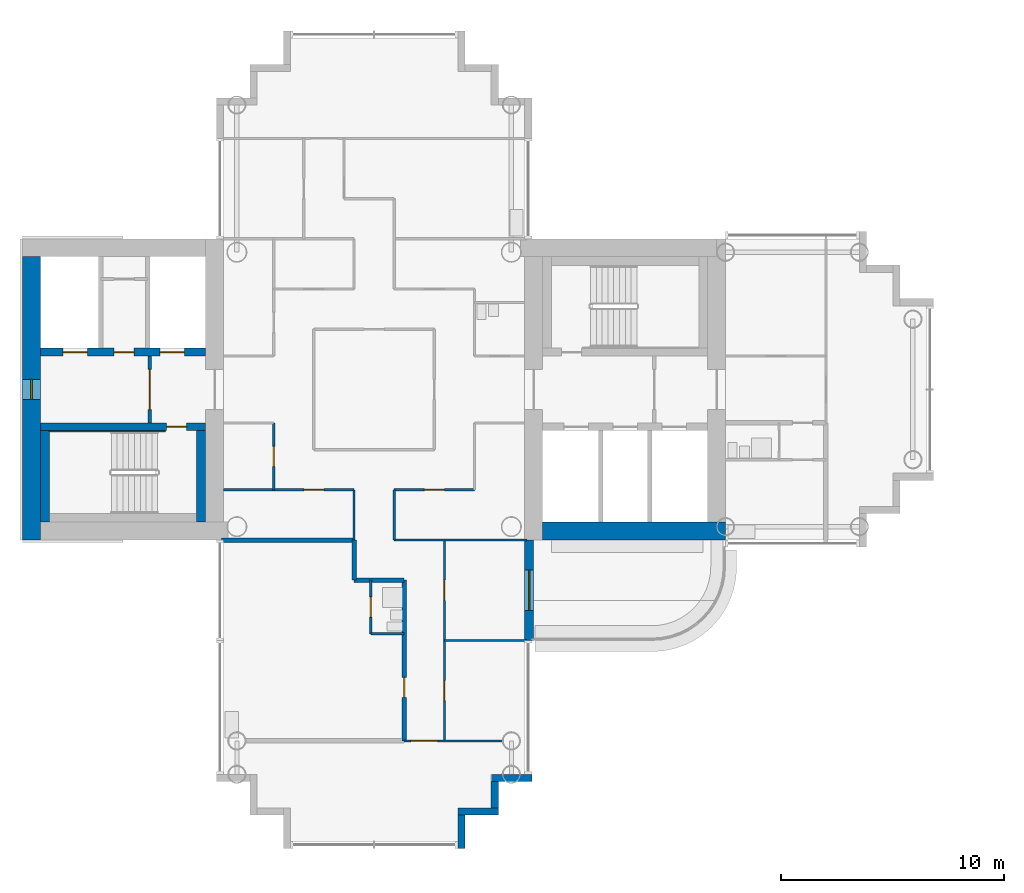
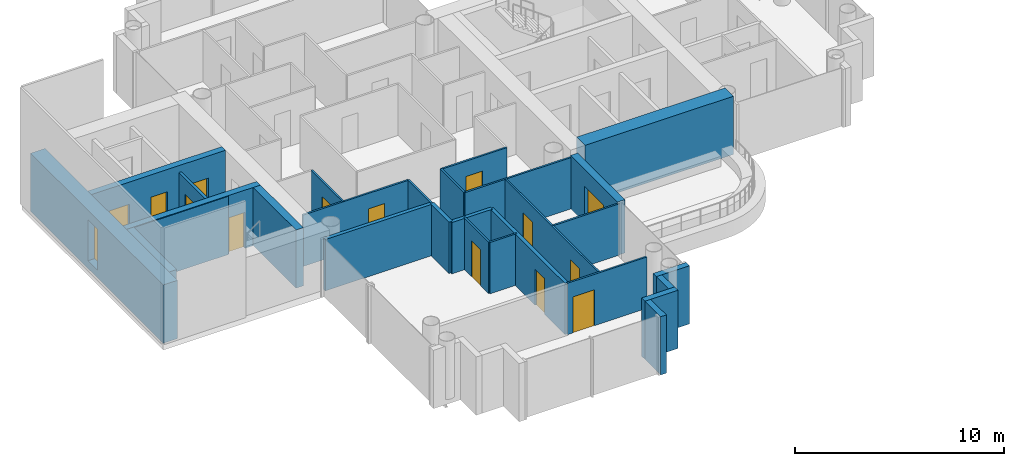
# One storey, part 7 of 20: 28 walls, 14 doors, 1 window, 15 openings.
"""IFC4 building model written with IfcOpenShell, lengths in metres."""

from ifc_helpers import new_model, si_unit, direction, frame, frame_2d, origin, place, context, subcontext, project, spatial, rectangle, extrude, material, layer, layer_set, type_object, element, fill, save


model = new_model("IFC4")

# Units and contexts
model_context = context("Model", 3, precision=1e-05, world=origin(), true_north=direction((0.0, 1.0)))
body_context = subcontext(model_context, "Body", "Model", "MODEL_VIEW")
ifc_project = project(units=[si_unit("LENGTHUNIT", "METRE"), si_unit("AREAUNIT", "SQUARE_METRE"), si_unit("VOLUMEUNIT", "CUBIC_METRE"), si_unit("PLANEANGLEUNIT", "RADIAN"), si_unit("MASSUNIT", "GRAM", prefix="KILO")], contexts=[model_context])

# Site, building, storey
site_placement = place(None, origin())
site = spatial("IfcSite", under=ifc_project, at=site_placement, CompositionType="ELEMENT")
building_placement = place(site_placement, origin())
building = spatial("IfcBuilding", under=site, at=building_placement, Name="Ipe Terrace Towers", CompositionType="ELEMENT")
storey_placement = place(building_placement, frame((0.0, 0.0, 167.699951171875)))
storey = spatial("IfcBuildingStorey", under=building, at=storey_placement, Name="L46", CompositionType="ELEMENT", Elevation=167.699951171875)

# Wall, opening, door
ifc_material_1 = material(Name="Concrete C40/50 with buff precast cladding", Category="concrete")
ifc_layer_1 = layer(ifc_material_1, 0.39990234375)
ifc_layer_set_1 = layer_set([ifc_layer_1], Name="BALCONY BAY WALL 400")
wall_type_1 = type_object("IfcWallType", Name="BALCONY BAY WALL 400", PredefinedType="STANDARD", material=ifc_layer_set_1)
wall_1_placement = place(storey_placement, frame((-29.050048828125, -11.25, -0.02001953125), z_axis=(0.0, 0.0, 1.0), x_axis=(0.0, 1.0, 0.0)))
wall_1 = element("IfcWall", 1, at=wall_1_placement, inside=storey, type_object=wall_type_1, Name="T1-W-L46-14a wall", PredefinedType="STANDARD", context=body_context, shape_type="SweptSolid", body=[
    extrude(rectangle(XDim=4.5, YDim=0.39990234375, at=frame_2d((2.25, 0.0))), origin(), (0.0, 0.0, 1.0), 3.1201171875),
])
opening_1_placement = place(wall_1_placement, frame((1.35009765625, 0.0, 0.02001953125)))
opening_1 = element("IfcOpeningElement", 2, at=opening_1_placement, cuts=wall_1, Name="Opening T1-D-L46-14", PredefinedType="OPENING", context=body_context, shape_type="SweptSolid", body=[
    extrude(rectangle(XDim=1.800048828125, YDim=2.10009765625, at=frame_2d((0.89990234375, 1.050048828125))), frame((0.0, 0.2099609375, 0.0), z_axis=(0.0, -1.0, 0.0), x_axis=(1.0, 0.0, 0.0)), (0.0, 0.0, 1.0), 0.419921875),
])
ifc_material_2 = material(Name="Aluminium alloy 6063-T6 framed glazed door", Category="aluminium")
door_type_1 = type_object("IfcDoorType", Name="BALCONY DOOR 1800 x 2100 LEFT", OperationType="SINGLE_SWING_LEFT", PredefinedType="DOOR", material=ifc_material_2)
door_1_placement = place(opening_1_placement, origin())
door_1 = element("IfcDoor", 3, at=door_1_placement, inside=storey, type_object=door_type_1, Name="DB1 door", OperationType="SINGLE_SWING_LEFT", OverallHeight=2.10009765625, OverallWidth=1.800048828125, PredefinedType="DOOR", context=body_context, shape_type="SweptSolid", body=[
    extrude(rectangle(XDim=1.800048828125, YDim=2.10009765625, at=frame_2d((0.89990234375, 1.050048828125))), frame((0.0, 0.02490234375, 0.0), z_axis=(0.0, -1.0, 0.0), x_axis=(1.0, 0.0, 0.0)), (0.0, 0.0, 1.0), 0.050048828125),
])
fill(opening_1, door_1)

# Walls
ifc_material_3 = material(Name="Concrete C40/50 with buff precast cladding", Category="concrete")
ifc_layer_2 = layer(ifc_material_3, 0.320068359375)
ifc_layer_set_2 = layer_set([ifc_layer_2], Name="BUFF CLADDING WALL 320")
wall_type_2 = type_object("IfcWallType", Name="BUFF CLADDING WALL 320", PredefinedType="STANDARD", material=ifc_layer_set_2)
wall_2_placement = place(storey_placement, frame((-32.090087890625, -20.570068359375, -0.300048828125), z_axis=(0.0, 0.0, 1.0), x_axis=(0.0, 1.0, 0.0)))
element("IfcWall", 4, at=wall_2_placement, inside=storey, type_object=wall_type_2, Name="T1-W-L46-09a wall", PredefinedType="STANDARD", context=body_context, shape_type="SweptSolid", body=[
    extrude(rectangle(XDim=1.5, YDim=0.320068359375, at=frame_2d((0.75, 0.0))), origin(), (0.0, 0.0, 1.0), 3.400146484375),
])
wall_3_placement = place(storey_placement, frame((-32.25, -18.909912109375, -0.300048828125), z_axis=(0.0, 0.0, 1.0), x_axis=(1.0, 0.0, 0.0)))
element("IfcWall", 5, at=wall_3_placement, inside=storey, type_object=wall_type_2, Name="T1-W-L46-10a wall", PredefinedType="STANDARD", context=body_context, shape_type="SweptSolid", body=[
    extrude(rectangle(XDim=1.820068359375, YDim=0.320068359375, at=frame_2d((0.91015625, 0.0))), origin(), (0.0, 0.0, 1.0), 3.400146484375),
])
wall_4_placement = place(storey_placement, frame((-30.590087890625, -18.75, -0.300048828125), z_axis=(0.0, 0.0, 1.0), x_axis=(0.0, 1.0, 0.0)))
element("IfcWall", 6, at=wall_4_placement, inside=storey, type_object=wall_type_2, Name="T1-W-L46-11a wall", PredefinedType="STANDARD", context=body_context, shape_type="SweptSolid", body=[
    extrude(rectangle(XDim=1.179931640625, YDim=0.320068359375, at=frame_2d((0.58984375, 0.0))), origin(), (0.0, 0.0, 1.0), 3.400146484375),
])
wall_5_placement = place(storey_placement, frame((-30.75, -17.409912109375, -0.300048828125), z_axis=(0.0, 0.0, 1.0), x_axis=(1.0, 0.0, 0.0)))
element("IfcWall", 7, at=wall_5_placement, inside=storey, type_object=wall_type_2, Name="T1-W-L46-12a wall", PredefinedType="STANDARD", context=body_context, shape_type="SweptSolid", body=[
    extrude(rectangle(XDim=1.820068359375, YDim=0.320068359375, at=frame_2d((0.91015625, 0.0))), origin(), (0.0, 0.0, 1.0), 3.400146484375),
])

# Wall, opening, door
ifc_material_4 = material(Name="Gypsum board partition", Category="plasterboard")
ifc_layer_3 = layer(ifc_material_4, 0.10009765625)
ifc_layer_set_3 = layer_set([ifc_layer_3], Name="Gypsum board partition 100 mm")
wall_type_3 = type_object("IfcWallType", Name="Gypsum board partition 100 mm", PredefinedType="PARTITIONING", material=ifc_layer_set_3)
wall_6_placement = place(storey_placement, frame((-40.5, -4.5, 0.0), z_axis=(0.0, 0.0, 1.0), x_axis=(0.0, 1.0, 0.0)))
wall_6 = element("IfcWall", 8, at=wall_6_placement, inside=storey, type_object=wall_type_3, Name="Gypsum board partition T1 L46 W01", PredefinedType="PARTITIONING", context=body_context, shape_type="SweptSolid", body=[
    extrude(rectangle(XDim=3.0, YDim=0.10009765625, at=frame_2d((1.5, 0.0))), origin(), (0.0, 0.0, 1.0), 3.0),
])
opening_2_placement = place(wall_6_placement, frame((1.050048828125, 0.0, 0.0)))
opening_2 = element("IfcOpeningElement", 9, at=opening_2_placement, cuts=wall_6, Name="Opening T1-Z3F-08", PredefinedType="OPENING", context=body_context, shape_type="SweptSolid", body=[
    extrude(rectangle(XDim=0.89990234375, YDim=2.10009765625, at=frame_2d((0.449951171875, 1.050048828125))), frame((0.0, 0.06005859375, 0.0), z_axis=(0.0, -1.0, 0.0), x_axis=(1.0, 0.0, 0.0)), (0.0, 0.0, 1.0), 0.1201171875),
])
ifc_material_5 = material(Name="Timber door leaf", Category="wood")
door_type_2 = type_object("IfcDoorType", Name="Lounge door 900 x 2100", OperationType="NOTDEFINED", PredefinedType="DOOR", material=ifc_material_5)
door_2_placement = place(opening_2_placement, origin())
door_2 = element("IfcDoor", 10, at=door_2_placement, inside=storey, type_object=door_type_2, Name="Lounge door T1-Z3F-08", OperationType="SINGLE_SWING_LEFT", OverallHeight=2.10009765625, OverallWidth=0.89990234375, PredefinedType="DOOR", context=body_context, shape_type="SweptSolid", body=[
    extrude(rectangle(XDim=0.89990234375, YDim=2.10009765625, at=frame_2d((0.449951171875, 1.050048828125))), frame((0.0, 0.02490234375, 0.0), z_axis=(0.0, -1.0, 0.0), x_axis=(1.0, 0.0, 0.0)), (0.0, 0.0, 1.0), 0.050048828125),
])
fill(opening_2, door_2)

# Wall
wall_7_placement = place(storey_placement, frame((-36.89990234375, -6.75, 0.0), z_axis=(0.0, 0.0, 1.0), x_axis=(0.0, 1.0, 0.0)))
element("IfcWall", 11, at=wall_7_placement, inside=storey, type_object=wall_type_3, Name="Gypsum board partition T1 L46 W06", PredefinedType="PARTITIONING", context=body_context, shape_type="SweptSolid", body=[
    extrude(rectangle(XDim=2.25, YDim=0.10009765625, at=frame_2d((1.125, 0.0))), origin(), (0.0, 0.0, 1.0), 3.0),
])

# Wall, opening, door
wall_8_placement = place(storey_placement, frame((-36.14990234375, -10.949951171875, 0.0), z_axis=(0.0, 0.0, 1.0), x_axis=(0.0, 1.0, 0.0)))
wall_8 = element("IfcWall", 12, at=wall_8_placement, inside=storey, type_object=wall_type_3, Name="Gypsum board partition T1 L46 W09", PredefinedType="PARTITIONING", context=body_context, shape_type="SweptSolid", body=[
    extrude(rectangle(XDim=2.39990234375, YDim=0.10009765625, at=frame_2d((1.199951171875, 0.0))), origin(), (0.0, 0.0, 1.0), 3.0),
])
opening_3_placement = place(wall_8_placement, frame((0.75, 0.0, 0.0)))
opening_3 = element("IfcOpeningElement", 13, at=opening_3_placement, cuts=wall_8, Name="Opening T1-Z3F-16", PredefinedType="OPENING", context=body_context, shape_type="SweptSolid", body=[
    extrude(rectangle(XDim=0.89990234375, YDim=2.10009765625, at=frame_2d((0.449951171875, 1.050048828125))), frame((0.0, 0.06005859375, 0.0), z_axis=(0.0, -1.0, 0.0), x_axis=(1.0, 0.0, 0.0)), (0.0, 0.0, 1.0), 0.1201171875),
])
ifc_material_6 = material(Name="Timber door leaf", Category="wood")
door_type_3 = type_object("IfcDoorType", Name="Bathroom door 900 x 2100", OperationType="NOTDEFINED", PredefinedType="DOOR", material=ifc_material_6)
door_3_placement = place(opening_3_placement, origin())
door_3 = element("IfcDoor", 14, at=door_3_placement, inside=storey, type_object=door_type_3, Name="Bathroom door T1-Z3F-16", OperationType="SINGLE_SWING_RIGHT", OverallHeight=2.10009765625, OverallWidth=0.89990234375, PredefinedType="DOOR", context=body_context, shape_type="SweptSolid", body=[
    extrude(rectangle(XDim=0.89990234375, YDim=2.10009765625, at=frame_2d((0.449951171875, 1.050048828125))), frame((0.0, 0.02490234375, 0.0), z_axis=(0.0, -1.0, 0.0), x_axis=(1.0, 0.0, 0.0)), (0.0, 0.0, 1.0), 0.050048828125),
])
fill(opening_3, door_3)

# Wall
wall_9_placement = place(storey_placement, frame((-35.10009765625, -6.75, 0.0), z_axis=(0.0, 0.0, 1.0), x_axis=(0.0, 1.0, 0.0)))
element("IfcWall", 15, at=wall_9_placement, inside=storey, type_object=wall_type_3, Name="Gypsum board partition T1 L46 W10", PredefinedType="PARTITIONING", context=body_context, shape_type="SweptSolid", body=[
    extrude(rectangle(XDim=2.25, YDim=0.10009765625, at=frame_2d((1.125, 0.0))), origin(), (0.0, 0.0, 1.0), 3.0),
])

# Wall, openings, doors
wall_10_placement = place(storey_placement, frame((-32.85009765625, -15.75, 0.0), z_axis=(0.0, 0.0, 1.0), x_axis=(0.0, 1.0, 0.0)))
wall_10 = element("IfcWall", 16, at=wall_10_placement, inside=storey, type_object=wall_type_3, Name="Gypsum board partition T1 L46 W14", PredefinedType="PARTITIONING", context=body_context, shape_type="SweptSolid", body=[
    extrude(rectangle(XDim=9.0, YDim=0.10009765625, at=frame_2d((4.5, 0.0))), origin(), (0.0, 0.0, 1.0), 3.0),
])
opening_4_placement = place(wall_10_placement, frame((6.300048828125, 0.0, 0.0)))
opening_4 = element("IfcOpeningElement", 17, at=opening_4_placement, cuts=wall_10, Name="Opening T1-Z3F-13", PredefinedType="OPENING", context=body_context, shape_type="SweptSolid", body=[
    extrude(rectangle(XDim=0.89990234375, YDim=2.10009765625, at=frame_2d((0.449951171875, 1.050048828125))), frame((0.0, 0.06005859375, 0.0), z_axis=(0.0, -1.0, 0.0), x_axis=(1.0, 0.0, 0.0)), (0.0, 0.0, 1.0), 0.1201171875),
])
opening_5_placement = place(wall_10_placement, frame((1.800048828125, 0.0, 0.0)))
opening_5 = element("IfcOpeningElement", 18, at=opening_5_placement, cuts=wall_10, Name="Opening T1-Z3F-14", PredefinedType="OPENING", context=body_context, shape_type="SweptSolid", body=[
    extrude(rectangle(XDim=0.89990234375, YDim=2.10009765625, at=frame_2d((0.449951171875, 1.050048828125))), frame((0.0, 0.06005859375, 0.0), z_axis=(0.0, -1.0, 0.0), x_axis=(1.0, 0.0, 0.0)), (0.0, 0.0, 1.0), 0.1201171875),
])
door_4_placement = place(opening_4_placement, origin())
door_4 = element("IfcDoor", 19, at=door_4_placement, inside=storey, type_object=door_type_2, Name="Lounge door T1-Z3F-13", OperationType="SINGLE_SWING_RIGHT", OverallHeight=2.10009765625, OverallWidth=0.89990234375, PredefinedType="DOOR", context=body_context, shape_type="SweptSolid", body=[
    extrude(rectangle(XDim=0.89990234375, YDim=2.10009765625, at=frame_2d((0.449951171875, 1.050048828125))), frame((0.0, 0.02490234375, 0.0), z_axis=(0.0, -1.0, 0.0), x_axis=(1.0, 0.0, 0.0)), (0.0, 0.0, 1.0), 0.050048828125),
])
fill(opening_4, door_4)
door_5_placement = place(opening_5_placement, origin())
door_5 = element("IfcDoor", 20, at=door_5_placement, inside=storey, type_object=door_type_2, Name="Lounge door T1-Z3F-14", OperationType="SINGLE_SWING_LEFT", OverallHeight=2.10009765625, OverallWidth=0.89990234375, PredefinedType="DOOR", context=body_context, shape_type="SweptSolid", body=[
    extrude(rectangle(XDim=0.89990234375, YDim=2.10009765625, at=frame_2d((0.449951171875, 1.050048828125))), frame((0.0, 0.02490234375, 0.0), z_axis=(0.0, -1.0, 0.0), x_axis=(1.0, 0.0, 0.0)), (0.0, 0.0, 1.0), 0.050048828125),
])
fill(opening_5, door_5)

# Wall, opening, door
wall_11_placement = place(storey_placement, frame((-34.64990234375, -15.75, 0.0), z_axis=(0.0, 0.0, 1.0), x_axis=(1.0, 0.0, 0.0)))
wall_11 = element("IfcWall", 21, at=wall_11_placement, inside=storey, type_object=wall_type_3, Name="Gypsum board partition T1 L46 W20", PredefinedType="PARTITIONING", context=body_context, shape_type="SweptSolid", body=[
    extrude(rectangle(XDim=4.39990234375, YDim=0.10009765625, at=frame_2d((2.199951171875, 0.0))), origin(), (0.0, 0.0, 1.0), 3.0),
])
opening_6_placement = place(wall_11_placement, frame((0.300048828125, 0.0, 0.0)))
opening_6 = element("IfcOpeningElement", 22, at=opening_6_placement, cuts=wall_11, Name="Opening T1-Z3F-17", PredefinedType="OPENING", context=body_context, shape_type="SweptSolid", body=[
    extrude(rectangle(XDim=1.199951171875, YDim=2.10009765625, at=frame_2d((0.60009765625, 1.050048828125))), frame((0.0, 0.06005859375, 0.0), z_axis=(0.0, -1.0, 0.0), x_axis=(1.0, 0.0, 0.0)), (0.0, 0.0, 1.0), 0.1201171875),
])
ifc_material_7 = material(Name="Timber door leaf", Category="wood")
door_type_4 = type_object("IfcDoorType", Name="Lounge door 1200 x 2100", OperationType="NOTDEFINED", PredefinedType="DOOR", material=ifc_material_7)
door_6_placement = place(opening_6_placement, origin())
door_6 = element("IfcDoor", 23, at=door_6_placement, inside=storey, type_object=door_type_4, Name="Lounge door T1-Z3F-17", OperationType="SINGLE_SWING_LEFT", OverallHeight=2.10009765625, OverallWidth=1.199951171875, PredefinedType="DOOR", context=body_context, shape_type="SweptSolid", body=[
    extrude(rectangle(XDim=1.199951171875, YDim=2.10009765625, at=frame_2d((0.60009765625, 1.050048828125))), frame((0.0, 0.02490234375, 0.0), z_axis=(0.0, -1.0, 0.0), x_axis=(1.0, 0.0, 0.0)), (0.0, 0.0, 1.0), 0.050048828125),
])
fill(opening_6, door_6)

# Walls
wall_12_placement = place(storey_placement, frame((-32.85009765625, -11.25, 0.0), z_axis=(0.0, 0.0, 1.0), x_axis=(1.0, 0.0, 0.0)))
element("IfcWall", 24, at=wall_12_placement, inside=storey, type_object=wall_type_3, Name="Gypsum board partition T1 L46 W22", PredefinedType="PARTITIONING", context=body_context, shape_type="SweptSolid", body=[
    extrude(rectangle(XDim=3.7001953125, YDim=0.10009765625, at=frame_2d((1.85009765625, 0.0))), origin(), (0.0, 0.0, 1.0), 3.0),
])
wall_13_placement = place(storey_placement, frame((-36.14990234375, -10.949951171875, 0.0), z_axis=(0.0, 0.0, 1.0), x_axis=(1.0, 0.0, 0.0)))
element("IfcWall", 25, at=wall_13_placement, inside=storey, type_object=wall_type_3, Name="Gypsum board partition T1 L46 W23", PredefinedType="PARTITIONING", context=body_context, shape_type="SweptSolid", body=[
    extrude(rectangle(XDim=1.5, YDim=0.10009765625, at=frame_2d((0.75, 0.0))), origin(), (0.0, 0.0, 1.0), 3.0),
])
wall_14_placement = place(storey_placement, frame((-35.10009765625, -6.75, 0.0), z_axis=(0.0, 0.0, 1.0), x_axis=(1.0, 0.0, 0.0)))
element("IfcWall", 26, at=wall_14_placement, inside=storey, type_object=wall_type_3, Name="Gypsum board partition T1 L46 W25", PredefinedType="PARTITIONING", context=body_context, shape_type="SweptSolid", body=[
    extrude(rectangle(XDim=5.9501953125, YDim=0.10009765625, at=frame_2d((2.97509765625, 0.0))), origin(), (0.0, 0.0, 1.0), 3.0),
])

# Wall, opening, door
wall_15_placement = place(storey_placement, frame((-42.75, -4.5, 0.0), z_axis=(0.0, 0.0, 1.0), x_axis=(1.0, 0.0, 0.0)))
wall_15 = element("IfcWall", 27, at=wall_15_placement, inside=storey, type_object=wall_type_3, Name="Gypsum board partition T1 L46 W27", PredefinedType="PARTITIONING", context=body_context, shape_type="SweptSolid", body=[
    extrude(rectangle(XDim=5.85009765625, YDim=0.10009765625, at=frame_2d((2.925048828125, 0.0))), origin(), (0.0, 0.0, 1.0), 3.0),
])
opening_7_placement = place(wall_15_placement, frame((3.60009765625, 0.0, 0.0)))
opening_7 = element("IfcOpeningElement", 28, at=opening_7_placement, cuts=wall_15, Name="Opening T1-Z3F-07", PredefinedType="OPENING", context=body_context, shape_type="SweptSolid", body=[
    extrude(rectangle(XDim=0.89990234375, YDim=2.10009765625, at=frame_2d((0.449951171875, 1.050048828125))), frame((0.0, 0.06005859375, 0.0), z_axis=(0.0, -1.0, 0.0), x_axis=(1.0, 0.0, 0.0)), (0.0, 0.0, 1.0), 0.1201171875),
])
door_7_placement = place(opening_7_placement, origin())
door_7 = element("IfcDoor", 29, at=door_7_placement, inside=storey, type_object=door_type_2, Name="Lounge door T1-Z3F-07", OperationType="SINGLE_SWING_RIGHT", OverallHeight=2.10009765625, OverallWidth=0.89990234375, PredefinedType="DOOR", context=body_context, shape_type="SweptSolid", body=[
    extrude(rectangle(XDim=0.89990234375, YDim=2.10009765625, at=frame_2d((0.449951171875, 1.050048828125))), frame((0.0, 0.02490234375, 0.0), z_axis=(0.0, -1.0, 0.0), x_axis=(1.0, 0.0, 0.0)), (0.0, 0.0, 1.0), 0.050048828125),
])
fill(opening_7, door_7)

wall_16_placement = place(storey_placement, frame((-35.10009765625, -4.5, 0.0), z_axis=(0.0, 0.0, 1.0), x_axis=(1.0, 0.0, 0.0)))
wall_16 = element("IfcWall", 30, at=wall_16_placement, inside=storey, type_object=wall_type_3, Name="Gypsum board partition T1 L46 W28", PredefinedType="PARTITIONING", context=body_context, shape_type="SweptSolid", body=[
    extrude(rectangle(XDim=3.60009765625, YDim=0.10009765625, at=frame_2d((1.800048828125, 0.0))), origin(), (0.0, 0.0, 1.0), 3.0),
])
opening_8_placement = place(wall_16_placement, frame((1.35009765625, 0.0, 0.0)))
opening_8 = element("IfcOpeningElement", 31, at=opening_8_placement, cuts=wall_16, Name="Opening T1-Z3F-09", PredefinedType="OPENING", context=body_context, shape_type="SweptSolid", body=[
    extrude(rectangle(XDim=0.89990234375, YDim=2.10009765625, at=frame_2d((0.449951171875, 1.050048828125))), frame((0.0, 0.06005859375, 0.0), z_axis=(0.0, -1.0, 0.0), x_axis=(1.0, 0.0, 0.0)), (0.0, 0.0, 1.0), 0.1201171875),
])
door_8_placement = place(opening_8_placement, origin())
door_8 = element("IfcDoor", 32, at=door_8_placement, inside=storey, type_object=door_type_2, Name="Lounge door T1-Z3F-09", OperationType="SINGLE_SWING_LEFT", OverallHeight=2.10009765625, OverallWidth=0.89990234375, PredefinedType="DOOR", context=body_context, shape_type="SweptSolid", body=[
    extrude(rectangle(XDim=0.89990234375, YDim=2.10009765625, at=frame_2d((0.449951171875, 1.050048828125))), frame((0.0, 0.02490234375, 0.0), z_axis=(0.0, -1.0, 0.0), x_axis=(1.0, 0.0, 0.0)), (0.0, 0.0, 1.0), 0.050048828125),
])
fill(opening_8, door_8)

ifc_material_8 = material(Name="Gypsum board partition", Category="plasterboard")
ifc_layer_4 = layer(ifc_material_8, 0.14990234375)
ifc_layer_set_4 = layer_set([ifc_layer_4], Name="Gypsum board partition 150 mm")
wall_type_4 = type_object("IfcWallType", Name="Gypsum board partition 150 mm", PredefinedType="PARTITIONING", material=ifc_layer_set_4)
wall_17_placement = place(storey_placement, frame((-46.050048828125, 1.5, 0.0), z_axis=(0.0, 0.0, 1.0), x_axis=(0.0, -1.0, 0.0)))
wall_17 = element("IfcWall", 33, at=wall_17_placement, inside=storey, type_object=wall_type_4, Name="Gypsum board partition T1 L46 t1c2-lobby-wall", PredefinedType="PARTITIONING", context=body_context, shape_type="SweptSolid", body=[
    extrude(rectangle(XDim=3.0, YDim=0.14990234375, at=frame_2d((1.5, 0.0))), origin(), (0.0, 0.0, 1.0), 3.0),
])
opening_9_placement = place(wall_17_placement, frame((0.60009765625, 0.0, 0.0)))
opening_9 = element("IfcOpeningElement", 34, at=opening_9_placement, cuts=wall_17, Name="Opening T1C2-VD", PredefinedType="OPENING", context=body_context, shape_type="SweptSolid", body=[
    extrude(rectangle(XDim=1.800048828125, YDim=2.10009765625, at=frame_2d((0.89990234375, 1.050048828125))), frame((0.0, 0.0849609375, 0.0), z_axis=(0.0, -1.0, 0.0), x_axis=(1.0, 0.0, 0.0)), (0.0, 0.0, 1.0), 0.169921875),
])
ifc_material_9 = material(Name="Fire-rated timber door leaf", Category="wood")
door_type_5 = type_object("IfcDoorType", Name="Lobby door 1800 x 2100 FD60", OperationType="NOTDEFINED", PredefinedType="DOOR", material=ifc_material_9)
door_9_placement = place(opening_9_placement, origin())
door_9 = element("IfcDoor", 35, at=door_9_placement, inside=storey, type_object=door_type_5, Name="Lobby door T1C2-VD", OperationType="SINGLE_SWING_LEFT", OverallHeight=2.10009765625, OverallWidth=1.800048828125, PredefinedType="DOOR", context=body_context, shape_type="SweptSolid", body=[
    extrude(rectangle(XDim=1.800048828125, YDim=2.10009765625, at=frame_2d((0.89990234375, 1.050048828125))), frame((0.0, 0.02490234375, 0.0), z_axis=(0.0, -1.0, 0.0), x_axis=(1.0, 0.0, 0.0)), (0.0, 0.0, 1.0), 0.050048828125),
])
fill(opening_9, door_9)

# Wall
ifc_material_10 = material(Name="Gypsum board party wall", Category="plasterboard")
ifc_layer_5 = layer(ifc_material_10, 0.199951171875)
ifc_layer_set_5 = layer_set([ifc_layer_5], Name="Gypsum board party wall 200 mm")
wall_type_5 = type_object("IfcWallType", Name="Gypsum board party wall 200 mm", PredefinedType="SOLIDWALL", material=ifc_layer_set_5)
wall_18_placement = place(storey_placement, frame((-36.89990234375, -8.550048828125, 0.0), z_axis=(0.0, 0.0, 1.0), x_axis=(0.0, 1.0, 0.0)))
element("IfcWall", 36, at=wall_18_placement, inside=storey, type_object=wall_type_5, Name="Gypsum board party wall T1 L46 W08", PredefinedType="SOLIDWALL", context=body_context, shape_type="SweptSolid", body=[
    extrude(rectangle(XDim=1.800048828125, YDim=0.199951171875, at=frame_2d((0.89990234375, 0.0))), origin(), (0.0, 0.0, 1.0), 3.0),
])

# Wall, opening, door
wall_19_placement = place(storey_placement, frame((-34.64990234375, -15.75, 0.0), z_axis=(0.0, 0.0, 1.0), x_axis=(0.0, 1.0, 0.0)))
wall_19 = element("IfcWall", 37, at=wall_19_placement, inside=storey, type_object=wall_type_5, Name="Gypsum board party wall T1 L46 W12", PredefinedType="SOLIDWALL", context=body_context, shape_type="SweptSolid", body=[
    extrude(rectangle(XDim=7.199951171875, YDim=0.199951171875, at=frame_2d((3.60009765625, 0.0))), origin(), (0.0, 0.0, 1.0), 3.0),
])
opening_10_placement = place(wall_19_placement, frame((1.949951171875, 0.0, 0.0)))
opening_10 = element("IfcOpeningElement", 38, at=opening_10_placement, cuts=wall_19, Name="Opening T1-Z3F-15", PredefinedType="OPENING", context=body_context, shape_type="SweptSolid", body=[
    extrude(rectangle(XDim=0.89990234375, YDim=2.10009765625, at=frame_2d((0.449951171875, 1.050048828125))), frame((0.0, 0.10986328125, 0.0), z_axis=(0.0, -1.0, 0.0), x_axis=(1.0, 0.0, 0.0)), (0.0, 0.0, 1.0), 0.219970703125),
])
ifc_material_11 = material(Name="Fire-rated timber door leaf", Category="wood")
door_type_6 = type_object("IfcDoorType", Name="Flat entrance door 900 x 2100 FD30S", OperationType="NOTDEFINED", PredefinedType="DOOR", material=ifc_material_11)
door_10_placement = place(opening_10_placement, origin())
door_10 = element("IfcDoor", 39, at=door_10_placement, inside=storey, type_object=door_type_6, Name="Flat entrance door T1-Z3F-15", OperationType="SINGLE_SWING_RIGHT", OverallHeight=2.10009765625, OverallWidth=0.89990234375, PredefinedType="DOOR", context=body_context, shape_type="SweptSolid", body=[
    extrude(rectangle(XDim=0.89990234375, YDim=2.10009765625, at=frame_2d((0.449951171875, 1.050048828125))), frame((0.0, 0.02490234375, 0.0), z_axis=(0.0, -1.0, 0.0), x_axis=(1.0, 0.0, 0.0)), (0.0, 0.0, 1.0), 0.050048828125),
])
fill(opening_10, door_10)

# Walls
wall_20_placement = place(storey_placement, frame((-36.89990234375, -8.550048828125, 0.0), z_axis=(0.0, 0.0, 1.0), x_axis=(1.0, 0.0, 0.0)))
element("IfcWall", 40, at=wall_20_placement, inside=storey, type_object=wall_type_5, Name="Gypsum board party wall T1 L46 W24", PredefinedType="SOLIDWALL", context=body_context, shape_type="SweptSolid", body=[
    extrude(rectangle(XDim=2.25, YDim=0.199951171875, at=frame_2d((1.125, 0.0))), origin(), (0.0, 0.0, 1.0), 3.0),
])
wall_21_placement = place(storey_placement, frame((-42.85009765625, -6.75, 0.0), z_axis=(0.0, 0.0, 1.0), x_axis=(1.0, 0.0, 0.0)))
element("IfcWall", 41, at=wall_21_placement, inside=storey, type_object=wall_type_5, Name="Gypsum board party wall T1 L46 W26", PredefinedType="SOLIDWALL", context=body_context, shape_type="SweptSolid", body=[
    extrude(rectangle(XDim=5.9501953125, YDim=0.199951171875, at=frame_2d((2.97509765625, 0.0))), origin(), (0.0, 0.0, 1.0), 3.0),
])

# Wall, opening, door
ifc_material_12 = material(Name="Concrete C50/60", Category="concrete")
ifc_layer_6 = layer(ifc_material_12, 0.35009765625)
ifc_layer_set_6 = layer_set([ifc_layer_6], Name="RW350 CORE SPINE WALL 350 C50-60")
wall_type_6 = type_object("IfcWallType", Name="RW350 CORE SPINE WALL 350 C50-60", PredefinedType="SHEAR", material=ifc_layer_set_6)
wall_22_placement = place(storey_placement, frame((-50.949951171875, -1.675048828125, 0.0), z_axis=(0.0, 0.0, 1.0), x_axis=(1.0, 0.0, 0.0)))
wall_22 = element("IfcWall", 42, at=wall_22_placement, inside=storey, type_object=wall_type_6, Name="Core spine wall T1-C2-Z3-SW1", PredefinedType="SHEAR", context=body_context, shape_type="SweptSolid", body=[
    extrude(rectangle(XDim=7.39990234375, YDim=0.35009765625, at=frame_2d((3.699951171875, 0.0))), origin(), (0.0, 0.0, 1.0), 3.400146484375),
])
opening_11_placement = place(wall_22_placement, frame((5.64990234375, 0.0, 0.0)))
opening_11 = element("IfcOpeningElement", 43, at=opening_11_placement, cuts=wall_22, Name="Opening T1C2-SD", PredefinedType="OPENING", context=body_context, shape_type="SweptSolid", body=[
    extrude(rectangle(XDim=0.89990234375, YDim=2.10009765625, at=frame_2d((0.449951171875, 1.050048828125))), frame((0.0, 0.18505859375, 0.0), z_axis=(0.0, -1.0, 0.0), x_axis=(1.0, 0.0, 0.0)), (0.0, 0.0, 1.0), 0.3701171875),
])
ifc_material_13 = material(Name="Fire-rated timber door leaf", Category="wood")
door_type_7 = type_object("IfcDoorType", Name="Stair door 900 x 2100 FD60", OperationType="NOTDEFINED", PredefinedType="DOOR", material=ifc_material_13)
door_11_placement = place(opening_11_placement, origin())
door_11 = element("IfcDoor", 44, at=door_11_placement, inside=storey, type_object=door_type_7, Name="Stair door T1C2-SD", OperationType="SINGLE_SWING_RIGHT", OverallHeight=2.10009765625, OverallWidth=0.89990234375, PredefinedType="DOOR", context=body_context, shape_type="SweptSolid", body=[
    extrude(rectangle(XDim=0.89990234375, YDim=2.10009765625, at=frame_2d((0.449951171875, 1.050048828125))), frame((0.0, 0.02490234375, 0.0), z_axis=(0.0, -1.0, 0.0), x_axis=(1.0, 0.0, 0.0)), (0.0, 0.0, 1.0), 0.050048828125),
])
fill(opening_11, door_11)

# Wall, openings, doors
wall_23_placement = place(storey_placement, frame((-50.949951171875, 1.675048828125, 0.0), z_axis=(0.0, 0.0, 1.0), x_axis=(1.0, 0.0, 0.0)))
wall_23 = element("IfcWall", 45, at=wall_23_placement, inside=storey, type_object=wall_type_6, Name="Core spine wall T1-C2-Z3-SW2", PredefinedType="SHEAR", context=body_context, shape_type="SweptSolid", body=[
    extrude(rectangle(XDim=7.39990234375, YDim=0.35009765625, at=frame_2d((3.699951171875, 0.0))), origin(), (0.0, 0.0, 1.0), 3.400146484375),
])
opening_12_placement = place(wall_23_placement, frame((5.35009765625, 0.0, 0.0)))
opening_12 = element("IfcOpeningElement", 46, at=opening_12_placement, cuts=wall_23, Name="Opening T1C2-LD1", PredefinedType="OPENING", context=body_context, shape_type="SweptSolid", body=[
    extrude(rectangle(XDim=1.10009765625, YDim=2.10009765625, at=frame_2d((0.550048828125, 1.050048828125))), frame((0.0, 0.18505859375, 0.0), z_axis=(0.0, -1.0, 0.0), x_axis=(1.0, 0.0, 0.0)), (0.0, 0.0, 1.0), 0.3701171875),
])
opening_13_placement = place(wall_23_placement, frame((1.0, 0.0, 0.0)))
opening_13 = element("IfcOpeningElement", 47, at=opening_13_placement, cuts=wall_23, Name="Opening T1C2-LD3", PredefinedType="OPENING", context=body_context, shape_type="SweptSolid", body=[
    extrude(rectangle(XDim=1.10009765625, YDim=2.10009765625, at=frame_2d((0.550048828125, 1.050048828125))), frame((0.0, 0.18505859375, 0.0), z_axis=(0.0, -1.0, 0.0), x_axis=(1.0, 0.0, 0.0)), (0.0, 0.0, 1.0), 0.3701171875),
])
opening_14_placement = place(wall_23_placement, frame((3.300048828125, 0.0, 0.0)))
opening_14 = element("IfcOpeningElement", 48, at=opening_14_placement, cuts=wall_23, Name="Opening T1C2-R1-NR", PredefinedType="OPENING", context=body_context, shape_type="SweptSolid", body=[
    extrude(rectangle(XDim=0.89990234375, YDim=2.10009765625, at=frame_2d((0.449951171875, 1.050048828125))), frame((0.0, 0.18505859375, 0.0), z_axis=(0.0, -1.0, 0.0), x_axis=(1.0, 0.0, 0.0)), (0.0, 0.0, 1.0), 0.3701171875),
])
ifc_material_14 = material(Name="Fire-rated timber door leaf", Category="wood")
door_type_8 = type_object("IfcDoorType", Name="Sliding door 1100 x 2100 FD60", OperationType="SLIDING_TO_LEFT", PredefinedType="DOOR", material=ifc_material_14)
door_12_placement = place(opening_12_placement, origin())
door_12 = element("IfcDoor", 49, at=door_12_placement, inside=storey, type_object=door_type_8, Name="Sliding door T1C2-LD1", OperationType="SLIDING_TO_LEFT", OverallHeight=2.10009765625, OverallWidth=1.10009765625, PredefinedType="DOOR", context=body_context, shape_type="SweptSolid", body=[
    extrude(rectangle(XDim=1.10009765625, YDim=2.10009765625, at=frame_2d((0.550048828125, 1.050048828125))), frame((0.0, 0.02490234375, 0.0), z_axis=(0.0, -1.0, 0.0), x_axis=(1.0, 0.0, 0.0)), (0.0, 0.0, 1.0), 0.050048828125),
])
fill(opening_12, door_12)
door_13_placement = place(opening_13_placement, origin())
door_13 = element("IfcDoor", 50, at=door_13_placement, inside=storey, type_object=door_type_8, Name="Sliding door T1C2-LD3", OperationType="SLIDING_TO_LEFT", OverallHeight=2.10009765625, OverallWidth=1.10009765625, PredefinedType="DOOR", context=body_context, shape_type="SweptSolid", body=[
    extrude(rectangle(XDim=1.10009765625, YDim=2.10009765625, at=frame_2d((0.550048828125, 1.050048828125))), frame((0.0, 0.02490234375, 0.0), z_axis=(0.0, -1.0, 0.0), x_axis=(1.0, 0.0, 0.0)), (0.0, 0.0, 1.0), 0.050048828125),
])
fill(opening_13, door_13)
ifc_material_15 = material(Name="Timber door leaf", Category="wood")
door_type_9 = type_object("IfcDoorType", Name="Store door 900 x 2100", OperationType="NOTDEFINED", PredefinedType="DOOR", material=ifc_material_15)
door_14_placement = place(opening_14_placement, origin())
door_14 = element("IfcDoor", 51, at=door_14_placement, inside=storey, type_object=door_type_9, Name="Store door T1C2-R1-NR", OperationType="SINGLE_SWING_LEFT", OverallHeight=2.10009765625, OverallWidth=0.89990234375, PredefinedType="DOOR", context=body_context, shape_type="SweptSolid", body=[
    extrude(rectangle(XDim=0.89990234375, YDim=2.10009765625, at=frame_2d((0.449951171875, 1.050048828125))), frame((0.0, 0.02490234375, 0.0), z_axis=(0.0, -1.0, 0.0), x_axis=(1.0, 0.0, 0.0)), (0.0, 0.0, 1.0), 0.050048828125),
])
fill(opening_14, door_14)

# Walls
ifc_material_16 = material(Name="Concrete C50/60", Category="concrete")
ifc_layer_7 = layer(ifc_material_16, 0.39990234375)
ifc_layer_set_7 = layer_set([ifc_layer_7], Name="RW400 CORE INFILL WALL 400 C50-60")
wall_type_7 = type_object("IfcWallType", Name="RW400 CORE INFILL WALL 400 C50-60", PredefinedType="SHEAR", material=ifc_layer_set_7)
for number, where, z_axis, x_axis, name in (
    (52, (-50.75, -1.85009765625, 0.0), (0.0, 0.0, 1.0), (0.0, -1.0, 0.0), "Core infill wall T1-C2-far"),
    (53, (-43.75, -1.85009765625, 0.0), (0.0, 0.0, 1.0), (0.0, -1.0, 0.0), "Core infill wall T1-C2-near"),
):
    element("IfcWall", number, at=place(storey_placement, frame(where, z_axis=z_axis, x_axis=x_axis)), inside=storey, type_object=wall_type_7, Name=name, PredefinedType="SHEAR", context=body_context, shape_type="SweptSolid", body=[
        extrude(rectangle(XDim=4.099853515625, YDim=0.39990234375, at=frame_2d((2.0498046875, 0.0))), origin(), (0.0, 0.0, 1.0), 3.400146484375),
    ])
ifc_material_17 = material(Name="Concrete C50/60", Category="concrete")
ifc_layer_8 = layer(ifc_material_17, 0.050048828125)
ifc_layer_set_8 = layer_set([ifc_layer_8], Name="RW50 CORE INFILL WALL 50 C50-60")
wall_type_8 = type_object("IfcWallType", Name="RW50 CORE INFILL WALL 50 C50-60", PredefinedType="SHEAR", material=ifc_layer_set_8)
wall_24_placement = place(storey_placement, frame((-45.35009765625, -1.875, 0.0), z_axis=(0.0, 0.0, 1.0), x_axis=(-1.0, 0.0, 0.0)))
element("IfcWall", 54, at=wall_24_placement, inside=storey, type_object=wall_type_8, Name="Core infill wall T1-C2-spine-b", PredefinedType="SHEAR", context=body_context, shape_type="SweptSolid", body=[
    extrude(rectangle(XDim=5.199951171875, YDim=0.050048828125, at=frame_2d((2.60009765625, 0.0))), origin(), (0.0, 0.0, 1.0), 3.400146484375),
])
ifc_material_18 = material(Name="Concrete C50/60", Category="concrete")
ifc_layer_9 = layer(ifc_material_18, 0.800048828125)
ifc_layer_set_9 = layer_set([ifc_layer_9], Name="RW800 CORE WALL 800 C50-60")
wall_type_9 = type_object("IfcWallType", Name="RW800 CORE WALL 800 C50-60", PredefinedType="SHEAR", material=ifc_layer_set_9)
wall_25_placement = place(storey_placement, frame((-28.449951171875, -6.35009765625, 0.0), z_axis=(0.0, 0.0, 1.0), x_axis=(1.0, 0.0, 0.0)))
element("IfcWall", 55, at=wall_25_placement, inside=storey, type_object=wall_type_9, Name="Core wall T1-C1-Z3-W01", PredefinedType="SHEAR", context=body_context, shape_type="SweptSolid", body=[
    extrude(rectangle(XDim=8.199951171875, YDim=0.800048828125, at=frame_2d((4.10009765625, 0.0))), origin(), (0.0, 0.0, 1.0), 3.400146484375),
])

# Wall, opening, window
wall_26_placement = place(storey_placement, frame((-51.35009765625, 5.949951171875, 0.0), z_axis=(0.0, 0.0, 1.0), x_axis=(0.0, -1.0, 0.0)))
wall_26 = element("IfcWall", 56, at=wall_26_placement, inside=storey, type_object=wall_type_9, Name="Core wall T1-C2-Z3-W04", PredefinedType="SHEAR", context=body_context, shape_type="SweptSolid", body=[
    extrude(rectangle(XDim=12.699951171875, YDim=0.800048828125, at=frame_2d((6.35009765625, 0.0))), origin(), (0.0, 0.0, 1.0), 3.400146484375),
])
opening_15_placement = place(wall_26_placement, frame((5.5, 0.0, 0.449951171875)))
opening_15 = element("IfcOpeningElement", 57, at=opening_15_placement, cuts=wall_26, Name="Opening T1-C2-W-01-L46", PredefinedType="OPENING", context=body_context, shape_type="SweptSolid", body=[
    extrude(rectangle(XDim=0.89990234375, YDim=2.39990234375, at=frame_2d((0.449951171875, 1.199951171875))), frame((0.0, 0.41015625, 0.0), z_axis=(0.0, -1.0, 0.0), x_axis=(1.0, 0.0, 0.0)), (0.0, 0.0, 1.0), 0.820068359375),
])
ifc_material_19 = material(Name="Fire-resistant glazing EI 60", Category="glass")
window_type = type_object("IfcWindowType", Name="CORRIDOR END SLOT WINDOW 900 x 2400 EI 60", PartitioningType="SINGLE_PANEL", PredefinedType="WINDOW", material=ifc_material_19)
window_placement = place(opening_15_placement, origin())
window = element("IfcWindow", 58, at=window_placement, inside=storey, type_object=window_type, Name="W-01 window", OverallHeight=2.39990234375, OverallWidth=0.89990234375, PartitioningType="SINGLE_PANEL", PredefinedType="WINDOW", context=body_context, shape_type="SweptSolid", body=[
    extrude(rectangle(XDim=0.89990234375, YDim=2.39990234375, at=frame_2d((0.449951171875, 1.199951171875))), frame((0.0, 0.030029296875, 0.0), z_axis=(0.0, -1.0, 0.0), x_axis=(1.0, 0.0, 0.0)), (0.0, 0.0, 1.0), 0.06005859375),
])
fill(opening_15, window)

save(model, "model.ifc")
